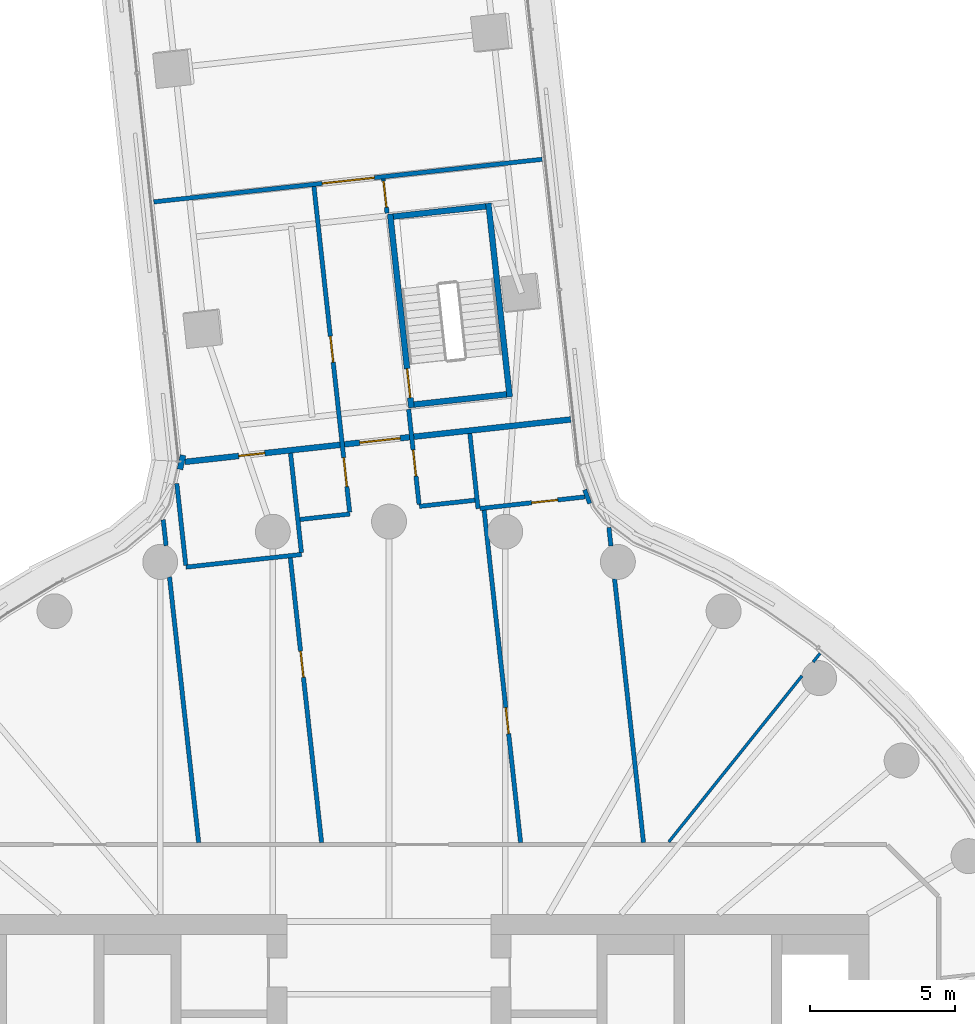
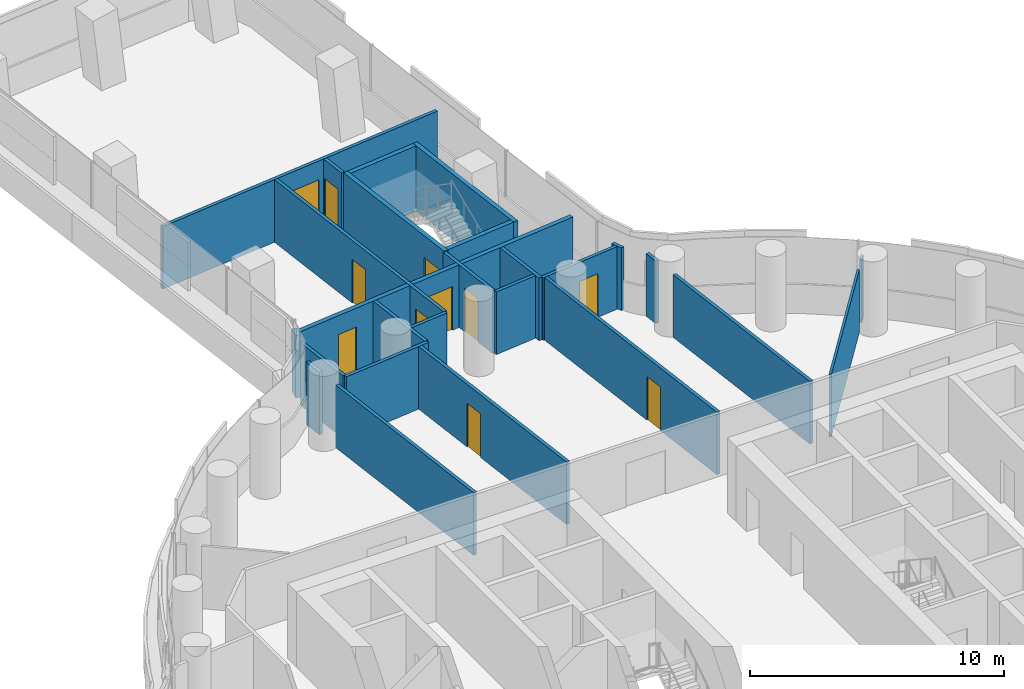
# One storey, part 23 of 31: 26 walls, 11 doors, 11 openings.
"""IFC4 building model written with IfcOpenShell, lengths in metres."""

from ifc_helpers import new_model, si_unit, direction, frame, frame_2d, origin, place, context, subcontext, project, spatial, polyline, rectangle, outline, extrude, material, layer, layer_set, type_object, element, fill, save


model = new_model("IFC4")

# Units and contexts
model_context = context("Model", 3, precision=1e-05, world=origin(), true_north=direction((0.0, 1.0)))
body_context = subcontext(model_context, "Body", "Model", "MODEL_VIEW")
ifc_project = project(units=[si_unit("LENGTHUNIT", "METRE"), si_unit("AREAUNIT", "SQUARE_METRE"), si_unit("VOLUMEUNIT", "CUBIC_METRE"), si_unit("PLANEANGLEUNIT", "RADIAN"), si_unit("MASSUNIT", "GRAM", prefix="KILO")], contexts=[model_context])

# Site, building, storey
site_placement = place(None, origin())
site = spatial("IfcSite", under=ifc_project, at=site_placement, CompositionType="ELEMENT")
building_placement = place(site_placement, origin())
building = spatial("IfcBuilding", under=site, at=building_placement, Name="Tamarind Cross Interchange Tower", CompositionType="ELEMENT")
storey_placement = place(building_placement, frame((0.0, 0.0, 56.5)))
storey = spatial("IfcBuildingStorey", under=building, at=storey_placement, Name="L12", CompositionType="ELEMENT", Elevation=56.5)

# Walls
ifc_material_1 = material(Name="Gypsum board partition on steel studs", Category="steel")
ifc_layer_1 = layer(ifc_material_1, 0.10009765625)
ifc_layer_set_1 = layer_set([ifc_layer_1], Name="Gypsum board partition on steel studs")
wall_type_1 = type_object("IfcWallType", Name="Partition 100 mm EI 90", PredefinedType="PARTITIONING", material=ifc_layer_set_1)
wall_1_placement = place(storey_placement, frame((9.6171875, 11.98876953125, 0.0), z_axis=(0.0, 0.0, 1.0), x_axis=(0.625675340488, 0.78008356495, 0.0)))
element("IfcWall", 1, at=wall_1_placement, inside=storey, type_object=wall_type_1, Name="Partition L12-078", PredefinedType="PARTITIONING", context=body_context, shape_type="SweptSolid", body=[
    extrude(rectangle(XDim=7.31591796875, YDim=0.10009765625, at=frame_2d((3.657958984375, 0.0))), origin(), (0.0, 0.0, 1.0), 3.010009765625),
])
wall_2_placement = place(storey_placement, frame((14.578125, 18.173828125, 0.0), z_axis=(0.0, 0.0, 1.0), x_axis=(0.625551826344, 0.780182614878, 0.0)))
element("IfcWall", 2, at=wall_2_placement, inside=storey, type_object=wall_type_1, Name="Partition L12-079", PredefinedType="PARTITIONING", context=body_context, shape_type="SweptSolid", body=[
    extrude(rectangle(XDim=0.382080078125, YDim=0.10009765625, at=frame_2d((0.19091796875, 0.0))), origin(), (0.0, 0.0, 1.0), 3.010009765625),
])
ifc_layer_2 = layer(ifc_material_1, 0.14990234375)
ifc_layer_set_2 = layer_set([ifc_layer_2], Name="Gypsum board partition on steel studs")
wall_type_2 = type_object("IfcWallType", Name="Partition 150 mm EI 120", PredefinedType="PARTITIONING", material=ifc_layer_set_2)
wall_3_placement = place(storey_placement, frame((-7.762939453125, 23.064697265625, 0.0), z_axis=(0.0, 0.0, 1.0), x_axis=(0.109420760428, -0.993995521714, 0.0)))
element("IfcWall", 3, at=wall_3_placement, inside=storey, type_object=wall_type_2, Name="Partition L12-008", PredefinedType="PARTITIONING", context=body_context, shape_type="SweptSolid", body=[
    extrude(rectangle(XDim=0.9013671875, YDim=0.14990234375, at=frame_2d((0.45068359375, 0.0))), origin(), (0.0, 0.0, 1.0), 3.010009765625),
])
wall_4_placement = place(storey_placement, frame((-7.546875, 21.09912109375, 0.0), z_axis=(0.0, 0.0, 1.0), x_axis=(0.109218417046, -0.994017775182, 0.0)))
element("IfcWall", 4, at=wall_4_placement, inside=storey, type_object=wall_type_2, Name="Partition L12-009", PredefinedType="PARTITIONING", context=body_context, shape_type="SweptSolid", body=[
    extrude(rectangle(XDim=9.189453125, YDim=0.14990234375, at=frame_2d((4.5947265625, 0.0))), origin(), (0.0, 0.0, 1.0), 3.010009765625),
])
wall_5_placement = place(storey_placement, frame((-7.2958984375, 24.30810546875, 0.0), z_axis=(0.0, 0.0, 1.0), x_axis=(0.109265376878, -0.994012614314, 0.0)))
element("IfcWall", 5, at=wall_5_placement, inside=storey, type_object=wall_type_2, Name="Partition L12-012", PredefinedType="PARTITIONING", context=body_context, shape_type="SweptSolid", body=[
    extrude(rectangle(XDim=2.826416015625, YDim=0.14990234375, at=frame_2d((1.4130859375, 0.0))), origin(), (0.0, 0.0, 1.0), 3.010009765625),
])

# Wall, opening, door
wall_6_placement = place(storey_placement, frame((-3.392822265625, 21.75244140625, 0.0), z_axis=(0.0, 0.0, 1.0), x_axis=(0.109144249504, -0.994025921594, 0.0)))
wall_6 = element("IfcWall", 6, at=wall_6_placement, inside=storey, type_object=wall_type_2, Name="Partition L12-014", PredefinedType="PARTITIONING", context=body_context, shape_type="SweptSolid", body=[
    extrude(rectangle(XDim=9.8466796875, YDim=0.14990234375, at=frame_2d((4.92333984375, 0.0))), origin(), (0.0, 0.0, 1.0), 3.010009765625),
])
opening_1_placement = place(wall_6_placement, frame((3.22509765625, 0.0, 0.0)))
opening_1 = element("IfcOpeningElement", 7, at=opening_1_placement, cuts=wall_6, Name="Opening D04", PredefinedType="OPENING", context=body_context, shape_type="SweptSolid", body=[
    extrude(rectangle(XDim=0.89990234375, YDim=2.10009765625, at=frame_2d((0.449951171875, 1.050048828125))), frame((0.0, 0.0849609375, 0.0), z_axis=(0.0, -1.0, 0.0), x_axis=(1.0, 0.0, 0.0)), (0.0, 0.0, 1.0), 0.169921875),
])
ifc_material_2 = material(Name="Fire-resisting door set")
door_type_1 = type_object("IfcDoorType", Name="Interior door 900 x 2100 FD60S", OperationType="SINGLE_SWING_LEFT", PredefinedType="DOOR", material=ifc_material_2)
door_1_placement = place(opening_1_placement, frame((0.89990234375, 0.0, 0.0), z_axis=(0.0, 0.0, 1.0), x_axis=(-1.0, 0.0, 0.0)))
door_1 = element("IfcDoor", 8, at=door_1_placement, inside=storey, type_object=door_type_1, Name="Door D04", OperationType="SINGLE_SWING_LEFT", OverallHeight=2.10009765625, OverallWidth=0.89990234375, PredefinedType="DOOR", context=body_context, shape_type="SweptSolid", body=[
    extrude(rectangle(XDim=0.89990234375, YDim=2.10009765625, at=frame_2d((0.449951171875, 1.050048828125))), frame((0.0, 0.02490234375, 0.0), z_axis=(0.0, -1.0, 0.0), x_axis=(1.0, 0.0, 0.0)), (0.0, 0.0, 1.0), 0.050048828125),
])
fill(opening_1, door_1)

# Wall
wall_7_placement = place(storey_placement, frame((-3.385986328125, 25.3505859375, 0.0), z_axis=(0.0, 0.0, 1.0), x_axis=(0.109152306031, -0.994025036952, 0.0)))
element("IfcWall", 9, at=wall_7_placement, inside=storey, type_object=wall_type_2, Name="Partition L12-015", PredefinedType="PARTITIONING", context=body_context, shape_type="SweptSolid", body=[
    extrude(rectangle(XDim=3.435546875, YDim=0.14990234375, at=frame_2d((1.7177734375, 0.0))), origin(), (0.0, 0.0, 1.0), 3.010009765625),
])

# Wall, openings, doors
wall_8_placement = place(storey_placement, frame((-2.581787109375, 34.517333984375, 0.0), z_axis=(0.0, 0.0, 1.0), x_axis=(0.109115299203, -0.994029099916, 0.0)))
wall_8 = element("IfcWall", 10, at=wall_8_placement, inside=storey, type_object=wall_type_2, Name="Partition L12-016", PredefinedType="PARTITIONING", context=body_context, shape_type="SweptSolid", body=[
    extrude(rectangle(XDim=11.2587890625, YDim=0.14990234375, at=frame_2d((5.62939453125, 0.0))), origin(), (0.0, 0.0, 1.0), 3.010009765625),
])
opening_2_placement = place(wall_8_placement, frame((9.374755859375, 0.0, 0.0)))
opening_2 = element("IfcOpeningElement", 11, at=opening_2_placement, cuts=wall_8, Name="Opening D05", PredefinedType="OPENING", context=body_context, shape_type="SweptSolid", body=[
    extrude(rectangle(XDim=1.0, YDim=2.10009765625, at=frame_2d((0.5, 1.050048828125))), frame((0.0, 0.0849609375, 0.0), z_axis=(0.0, -1.0, 0.0), x_axis=(1.0, 0.0, 0.0)), (0.0, 0.0, 1.0), 0.169921875),
])
opening_3_placement = place(wall_8_placement, frame((5.175048828125, 0.0, 0.0)))
opening_3 = element("IfcOpeningElement", 12, at=opening_3_placement, cuts=wall_8, Name="Opening D06", PredefinedType="OPENING", context=body_context, shape_type="SweptSolid", body=[
    extrude(rectangle(XDim=0.89990234375, YDim=2.10009765625, at=frame_2d((0.449951171875, 1.050048828125))), frame((0.0, 0.0849609375, 0.0), z_axis=(0.0, -1.0, 0.0), x_axis=(1.0, 0.0, 0.0)), (0.0, 0.0, 1.0), 0.169921875),
])
door_type_2 = type_object("IfcDoorType", Name="Interior door 1000 x 2100 FD60S", OperationType="SINGLE_SWING_LEFT", PredefinedType="DOOR", material=ifc_material_2)
door_2_placement = place(opening_2_placement, frame((1.0, 0.0, 0.0), z_axis=(0.0, 0.0, 1.0), x_axis=(-1.0, 0.0, 0.0)))
door_2 = element("IfcDoor", 13, at=door_2_placement, inside=storey, type_object=door_type_2, Name="Door D05", OperationType="SINGLE_SWING_RIGHT", OverallHeight=2.10009765625, OverallWidth=1.0, PredefinedType="DOOR", context=body_context, shape_type="SweptSolid", body=[
    extrude(rectangle(XDim=1.0, YDim=2.10009765625, at=frame_2d((0.5, 1.050048828125))), frame((0.0, 0.02490234375, 0.0), z_axis=(0.0, -1.0, 0.0), x_axis=(1.0, 0.0, 0.0)), (0.0, 0.0, 1.0), 0.050048828125),
])
fill(opening_2, door_2)
door_3_placement = place(opening_3_placement, frame((0.89990234375, 0.0, 0.0), z_axis=(0.0, 0.0, 1.0), x_axis=(-1.0, 0.0, 0.0)))
door_3 = element("IfcDoor", 14, at=door_3_placement, inside=storey, type_object=door_type_1, Name="Door D06", OperationType="SINGLE_SWING_LEFT", OverallHeight=2.10009765625, OverallWidth=0.89990234375, PredefinedType="DOOR", context=body_context, shape_type="SweptSolid", body=[
    extrude(rectangle(XDim=0.89990234375, YDim=2.10009765625, at=frame_2d((0.449951171875, 1.050048828125))), frame((0.0, 0.02490234375, 0.0), z_axis=(0.0, -1.0, 0.0), x_axis=(1.0, 0.0, 0.0)), (0.0, 0.0, 1.0), 0.050048828125),
])
fill(opening_3, door_3)

# Wall, opening, door
wall_9_placement = place(storey_placement, frame((-0.19677734375, 34.779296875, 0.0), z_axis=(0.0, 0.0, 1.0), x_axis=(0.109232551869, -0.994016222007, 0.0)))
wall_9 = element("IfcWall", 15, at=wall_9_placement, inside=storey, type_object=wall_type_2, Name="Partition L12-018", PredefinedType="PARTITIONING", context=body_context, shape_type="SweptSolid", body=[
    extrude(rectangle(XDim=1.1845703125, YDim=0.14990234375, at=frame_2d((0.59228515625, 0.0))), origin(), (0.0, 0.0, 1.0), 3.010009765625),
])
opening_4_placement = place(wall_9_placement, frame((0.074951171875, 0.0, 0.0)))
opening_4 = element("IfcOpeningElement", 16, at=opening_4_placement, cuts=wall_9, Name="Opening D08", PredefinedType="OPENING", context=body_context, shape_type="SweptSolid", body=[
    extrude(rectangle(XDim=0.89990234375, YDim=2.10009765625, at=frame_2d((0.449951171875, 1.050048828125))), frame((0.0, 0.0849609375, 0.0), z_axis=(0.0, -1.0, 0.0), x_axis=(1.0, 0.0, 0.0)), (0.0, 0.0, 1.0), 0.169921875),
])
door_4_placement = place(opening_4_placement, origin())
door_4 = element("IfcDoor", 17, at=door_4_placement, inside=storey, type_object=door_type_1, Name="Door D08", OperationType="SINGLE_SWING_RIGHT", OverallHeight=2.10009765625, OverallWidth=0.89990234375, PredefinedType="DOOR", context=body_context, shape_type="SweptSolid", body=[
    extrude(rectangle(XDim=0.89990234375, YDim=2.10009765625, at=frame_2d((0.449951171875, 1.050048828125))), frame((0.0, 0.02490234375, 0.0), z_axis=(0.0, -1.0, 0.0), x_axis=(1.0, 0.0, 0.0)), (0.0, 0.0, 1.0), 0.050048828125),
])
fill(opening_4, door_4)

wall_10_placement = place(storey_placement, frame((0.673095703125, 26.8623046875, 0.0), z_axis=(0.0, 0.0, 1.0), x_axis=(0.109235770512, -0.994015868304, 0.0)))
wall_10 = element("IfcWall", 18, at=wall_10_placement, inside=storey, type_object=wall_type_2, Name="Partition L12-019", PredefinedType="PARTITIONING", context=body_context, shape_type="SweptSolid", body=[
    extrude(rectangle(XDim=3.29443359375, YDim=0.14990234375, at=frame_2d((1.647216796875, 0.0))), origin(), (0.0, 0.0, 1.0), 3.010009765625),
])
opening_5_placement = place(wall_10_placement, frame((1.409912109375, 0.0, 0.0)))
opening_5 = element("IfcOpeningElement", 19, at=opening_5_placement, cuts=wall_10, Name="Opening D09", PredefinedType="OPENING", context=body_context, shape_type="SweptSolid", body=[
    extrude(rectangle(XDim=0.89990234375, YDim=2.10009765625, at=frame_2d((0.449951171875, 1.050048828125))), frame((0.0, 0.0849609375, 0.0), z_axis=(0.0, -1.0, 0.0), x_axis=(1.0, 0.0, 0.0)), (0.0, 0.0, 1.0), 0.169921875),
])
door_5_placement = place(opening_5_placement, origin())
door_5 = element("IfcDoor", 20, at=door_5_placement, inside=storey, type_object=door_type_1, Name="Door D09", OperationType="SINGLE_SWING_LEFT", OverallHeight=2.10009765625, OverallWidth=0.89990234375, PredefinedType="DOOR", context=body_context, shape_type="SweptSolid", body=[
    extrude(rectangle(XDim=0.89990234375, YDim=2.10009765625, at=frame_2d((0.449951171875, 1.050048828125))), frame((0.0, 0.02490234375, 0.0), z_axis=(0.0, -1.0, 0.0), x_axis=(1.0, 0.0, 0.0)), (0.0, 0.0, 1.0), 0.050048828125),
])
fill(opening_5, door_5)

# Wall
wall_11_placement = place(storey_placement, frame((2.77685546875, 26.027587890625, 0.0), z_axis=(0.0, 0.0, 1.0), x_axis=(0.109205023982, -0.994019246663, 0.0)))
element("IfcWall", 21, at=wall_11_placement, inside=storey, type_object=wall_type_2, Name="Partition L12-023", PredefinedType="PARTITIONING", context=body_context, shape_type="SweptSolid", body=[
    extrude(rectangle(XDim=2.60009765625, YDim=0.14990234375, at=frame_2d((1.300048828125, 0.0))), origin(), (0.0, 0.0, 1.0), 3.010009765625),
])

# Wall, opening, door
wall_12_placement = place(storey_placement, frame((3.268310546875, 23.390380859375, 0.0), z_axis=(0.0, 0.0, 1.0), x_axis=(0.10915160387, -0.994025114055, 0.0)))
wall_12 = element("IfcWall", 22, at=wall_12_placement, inside=storey, type_object=wall_type_2, Name="Partition L12-024", PredefinedType="PARTITIONING", context=body_context, shape_type="SweptSolid", body=[
    extrude(rectangle(XDim=11.494384765625, YDim=0.14990234375, at=frame_2d((5.7470703125, 0.0))), origin(), (0.0, 0.0, 1.0), 3.010009765625),
])
opening_6_placement = place(wall_12_placement, frame((6.824951171875, 0.0, 0.0)))
opening_6 = element("IfcOpeningElement", 23, at=opening_6_placement, cuts=wall_12, Name="Opening D13", PredefinedType="OPENING", context=body_context, shape_type="SweptSolid", body=[
    extrude(rectangle(XDim=0.89990234375, YDim=2.10009765625, at=frame_2d((0.449951171875, 1.050048828125))), frame((0.0, 0.0849609375, 0.0), z_axis=(0.0, -1.0, 0.0), x_axis=(1.0, 0.0, 0.0)), (0.0, 0.0, 1.0), 0.169921875),
])
door_6_placement = place(opening_6_placement, origin())
door_6 = element("IfcDoor", 24, at=door_6_placement, inside=storey, type_object=door_type_1, Name="Door D13", OperationType="SINGLE_SWING_LEFT", OverallHeight=2.10009765625, OverallWidth=0.89990234375, PredefinedType="DOOR", context=body_context, shape_type="SweptSolid", body=[
    extrude(rectangle(XDim=0.89990234375, YDim=2.10009765625, at=frame_2d((0.449951171875, 1.050048828125))), frame((0.0, 0.02490234375, 0.0), z_axis=(0.0, -1.0, 0.0), x_axis=(1.0, 0.0, 0.0)), (0.0, 0.0, 1.0), 0.050048828125),
])
fill(opening_6, door_6)

# Walls
wall_13_placement = place(storey_placement, frame((7.55810546875, 22.799072265625, 0.0), z_axis=(0.0, 0.0, 1.0), x_axis=(0.10922431613, -0.994017126998, 0.0)))
element("IfcWall", 25, at=wall_13_placement, inside=storey, type_object=wall_type_2, Name="Partition L12-027", PredefinedType="PARTITIONING", context=body_context, shape_type="SweptSolid", body=[
    extrude(rectangle(XDim=0.643798828125, YDim=0.14990234375, at=frame_2d((0.32177734375, 0.0))), origin(), (0.0, 0.0, 1.0), 3.010009765625),
])
wall_14_placement = place(storey_placement, frame((7.751953125, 21.03369140625, 0.0), z_axis=(0.0, 0.0, 1.0), x_axis=(0.109150907267, -0.994025190547, 0.0)))
element("IfcWall", 26, at=wall_14_placement, inside=storey, type_object=wall_type_2, Name="Partition L12-028", PredefinedType="PARTITIONING", context=body_context, shape_type="SweptSolid", body=[
    extrude(rectangle(XDim=9.12353515625, YDim=0.14990234375, at=frame_2d((4.561767578125, 0.0))), origin(), (0.0, 0.0, 1.0), 3.010009765625),
])

# Wall, opening, door
wall_15_placement = place(storey_placement, frame((-8.087158203125, 33.989013671875, 0.0), z_axis=(0.0, 0.0, 1.0), x_axis=(0.994038609498, 0.109028633059, 0.0)))
wall_15 = element("IfcWall", 27, at=wall_15_placement, inside=storey, type_object=wall_type_2, Name="Partition L12-053", PredefinedType="PARTITIONING", context=body_context, shape_type="SweptSolid", body=[
    extrude(rectangle(XDim=13.4287109375, YDim=0.14990234375, at=frame_2d((6.71435546875, 0.0))), origin(), (0.0, 0.0, 1.0), 3.010009765625),
])
opening_7_placement = place(wall_15_placement, frame((5.830078125, 0.0, 0.0)))
opening_7 = element("IfcOpeningElement", 28, at=opening_7_placement, cuts=wall_15, Name="Opening D27", PredefinedType="OPENING", context=body_context, shape_type="SweptSolid", body=[
    extrude(rectangle(XDim=1.800048828125, YDim=2.10009765625, at=frame_2d((0.89990234375, 1.050048828125))), frame((0.0, 0.0849609375, 0.0), z_axis=(0.0, -1.0, 0.0), x_axis=(1.0, 0.0, 0.0)), (0.0, 0.0, 1.0), 0.169921875),
])
door_type_3 = type_object("IfcDoorType", Name="Interior door 1800 x 2100 FD60S", OperationType="DOUBLE_DOOR_SINGLE_SWING", PredefinedType="DOOR", material=ifc_material_2)
door_7_placement = place(opening_7_placement, origin())
door_7 = element("IfcDoor", 29, at=door_7_placement, inside=storey, type_object=door_type_3, Name="Door D27", OperationType="DOUBLE_DOOR_SINGLE_SWING", OverallHeight=2.10009765625, OverallWidth=1.800048828125, PredefinedType="DOOR", context=body_context, shape_type="SweptSolid", body=[
    extrude(rectangle(XDim=1.800048828125, YDim=2.10009765625, at=frame_2d((0.89990234375, 1.050048828125))), frame((0.0, 0.02490234375, 0.0), z_axis=(0.0, -1.0, 0.0), x_axis=(1.0, 0.0, 0.0)), (0.0, 0.0, 1.0), 0.050048828125),
])
fill(opening_7, door_7)

# Walls
wall_16_placement = place(storey_placement, frame((-6.97998046875, 21.43408203125, 0.0), z_axis=(0.0, 0.0, 1.0), x_axis=(0.994027286495, 0.109131818019, 0.0)))
element("IfcWall", 30, at=wall_16_placement, inside=storey, type_object=wall_type_2, Name="Partition L12-055", PredefinedType="PARTITIONING", context=body_context, shape_type="SweptSolid", body=[
    extrude(rectangle(XDim=4.0, YDim=0.14990234375, at=frame_2d((2.0, 0.0))), origin(), (0.0, 0.0, 1.0), 3.010009765625),
])
wall_17_placement = place(storey_placement, frame((-3.060546875, 23.072265625, 0.0), z_axis=(0.0, 0.0, 1.0), x_axis=(0.993997123908, 0.109406204867, 0.0)))
element("IfcWall", 31, at=wall_17_placement, inside=storey, type_object=wall_type_2, Name="Partition L12-059", PredefinedType="PARTITIONING", context=body_context, shape_type="SweptSolid", body=[
    extrude(rectangle(XDim=1.724853515625, YDim=0.14990234375, at=frame_2d((0.8623046875, 0.0))), origin(), (0.0, 0.0, 1.0), 3.010009765625),
])
wall_18_placement = place(storey_placement, frame((1.039794921875, 23.523681640625, 0.0), z_axis=(0.0, 0.0, 1.0), x_axis=(0.993993048472, 0.109443225419, 0.0)))
element("IfcWall", 32, at=wall_18_placement, inside=storey, type_object=wall_type_2, Name="Partition L12-060", PredefinedType="PARTITIONING", context=body_context, shape_type="SweptSolid", body=[
    extrude(rectangle(XDim=1.925048828125, YDim=0.14990234375, at=frame_2d((0.96240234375, 0.0))), origin(), (0.0, 0.0, 1.0), 3.010009765625),
])

# Wall, opening, door
wall_19_placement = place(storey_placement, frame((3.12548828125, 23.4501953125, 0.0), z_axis=(0.0, 0.0, 1.0), x_axis=(0.993944383485, 0.10988431434, 0.0)))
wall_19 = element("IfcWall", 33, at=wall_19_placement, inside=storey, type_object=wall_type_2, Name="Partition L12-063", PredefinedType="PARTITIONING", context=body_context, shape_type="SweptSolid", body=[
    extrude(rectangle(XDim=3.623779296875, YDim=0.14990234375, at=frame_2d((1.81201171875, 0.0))), origin(), (0.0, 0.0, 1.0), 3.010009765625),
])
opening_8_placement = place(wall_19_placement, frame((1.78515625, 0.0, 0.0)))
opening_8 = element("IfcOpeningElement", 34, at=opening_8_placement, cuts=wall_19, Name="Opening D32", PredefinedType="OPENING", context=body_context, shape_type="SweptSolid", body=[
    extrude(rectangle(XDim=0.89990234375, YDim=2.10009765625, at=frame_2d((0.449951171875, 1.050048828125))), frame((0.0, 0.0849609375, 0.0), z_axis=(0.0, -1.0, 0.0), x_axis=(1.0, 0.0, 0.0)), (0.0, 0.0, 1.0), 0.169921875),
])
door_8_placement = place(opening_8_placement, origin())
door_8 = element("IfcDoor", 35, at=door_8_placement, inside=storey, type_object=door_type_1, Name="Door D32", OperationType="SINGLE_SWING_LEFT", OverallHeight=2.10009765625, OverallWidth=0.89990234375, PredefinedType="DOOR", context=body_context, shape_type="SweptSolid", body=[
    extrude(rectangle(XDim=0.89990234375, YDim=2.10009765625, at=frame_2d((0.449951171875, 1.050048828125))), frame((0.0, 0.02490234375, 0.0), z_axis=(0.0, -1.0, 0.0), x_axis=(1.0, 0.0, 0.0)), (0.0, 0.0, 1.0), 0.050048828125),
])
fill(opening_8, door_8)

# Wall
wall_20_placement = place(storey_placement, frame((6.89892578125, 23.623291015625, 0.0), z_axis=(0.0, 0.0, 1.0), x_axis=(-0.349142654118, 0.93706958497, 0.0)))
element("IfcWall", 36, at=wall_20_placement, inside=storey, type_object=wall_type_2, Name="Partition L12-083", PredefinedType="PARTITIONING", context=body_context, shape_type="SweptSolid", body=[
    extrude(rectangle(XDim=0.5, YDim=0.14990234375, at=frame_2d((0.25, 0.0))), origin(), (0.0, 0.0, 1.0), 3.010009765625),
])

# Wall, openings, doors
ifc_layer_3 = layer(ifc_material_1, 0.199951171875)
ifc_layer_set_3 = layer_set([ifc_layer_3], Name="Gypsum board partition on steel studs")
wall_type_3 = type_object("IfcWallType", Name="Partition 200 mm EI 180", PredefinedType="PARTITIONING", material=ifc_layer_set_3)
wall_21_placement = place(storey_placement, frame((-7.014404296875, 25.05224609375, 0.0), z_axis=(0.0, 0.0, 1.0), x_axis=(0.994009646453, 0.109292372831, 0.0)))
wall_21 = element("IfcWall", 37, at=wall_21_placement, inside=storey, type_object=wall_type_3, Name="Partition L12-054", PredefinedType="PARTITIONING", context=body_context, shape_type="SweptSolid", body=[
    extrude(rectangle(XDim=13.338134765625, YDim=0.199951171875, at=frame_2d((6.6689453125, 0.0))), origin(), (0.0, 0.0, 1.0), 3.010009765625),
])
opening_9_placement = place(wall_21_placement, frame((6.038818359375, 0.0, 0.0)))
opening_9 = element("IfcOpeningElement", 38, at=opening_9_placement, cuts=wall_21, Name="Opening D28", PredefinedType="OPENING", context=body_context, shape_type="SweptSolid", body=[
    extrude(rectangle(XDim=1.39990234375, YDim=2.10009765625, at=frame_2d((0.699951171875, 1.050048828125))), frame((0.0, 0.10986328125, 0.0), z_axis=(0.0, -1.0, 0.0), x_axis=(1.0, 0.0, 0.0)), (0.0, 0.0, 1.0), 0.219970703125),
])
opening_10_placement = place(wall_21_placement, frame((1.860595703125, 0.0, 0.0)))
opening_10 = element("IfcOpeningElement", 39, at=opening_10_placement, cuts=wall_21, Name="Opening D29", PredefinedType="OPENING", context=body_context, shape_type="SweptSolid", body=[
    extrude(rectangle(XDim=0.89990234375, YDim=2.10009765625, at=frame_2d((0.449951171875, 1.050048828125))), frame((0.0, 0.10986328125, 0.0), z_axis=(0.0, -1.0, 0.0), x_axis=(1.0, 0.0, 0.0)), (0.0, 0.0, 1.0), 0.219970703125),
])
door_type_4 = type_object("IfcDoorType", Name="Interior door 1400 x 2100 FD120S", OperationType="DOUBLE_DOOR_SINGLE_SWING", PredefinedType="DOOR", material=ifc_material_2)
door_9_placement = place(opening_9_placement, frame((1.39990234375, 0.0, 0.0), z_axis=(0.0, 0.0, 1.0), x_axis=(-1.0, 0.0, 0.0)))
door_9 = element("IfcDoor", 40, at=door_9_placement, inside=storey, type_object=door_type_4, Name="Door D28", OperationType="DOUBLE_DOOR_SINGLE_SWING", OverallHeight=2.10009765625, OverallWidth=1.39990234375, PredefinedType="DOOR", context=body_context, shape_type="SweptSolid", body=[
    extrude(rectangle(XDim=1.39990234375, YDim=2.10009765625, at=frame_2d((0.699951171875, 1.050048828125))), frame((0.0, 0.02490234375, 0.0), z_axis=(0.0, -1.0, 0.0), x_axis=(1.0, 0.0, 0.0)), (0.0, 0.0, 1.0), 0.050048828125),
])
fill(opening_9, door_9)
door_type_5 = type_object("IfcDoorType", Name="Interior door 900 x 2100 FD120S", OperationType="SINGLE_SWING_LEFT", PredefinedType="DOOR", material=ifc_material_2)
door_10_placement = place(opening_10_placement, frame((0.89990234375, 0.0, 0.0), z_axis=(0.0, 0.0, 1.0), x_axis=(-1.0, 0.0, 0.0)))
door_10 = element("IfcDoor", 41, at=door_10_placement, inside=storey, type_object=door_type_5, Name="Door D29", OperationType="SINGLE_SWING_LEFT", OverallHeight=2.10009765625, OverallWidth=0.89990234375, PredefinedType="DOOR", context=body_context, shape_type="SweptSolid", body=[
    extrude(rectangle(XDim=0.89990234375, YDim=2.10009765625, at=frame_2d((0.449951171875, 1.050048828125))), frame((0.0, 0.02490234375, 0.0), z_axis=(0.0, -1.0, 0.0), x_axis=(1.0, 0.0, 0.0)), (0.0, 0.0, 1.0), 0.050048828125),
])
fill(opening_10, door_10)

# Wall
wall_22_placement = place(storey_placement, frame((-7.07958984375, 25.283203125, 0.0), z_axis=(0.0, 0.0, 1.0), x_axis=(-0.215895966224, -0.976416372132, 0.0)))
element("IfcWall", 42, at=wall_22_placement, inside=storey, type_object=wall_type_3, Name="Partition L12-082", PredefinedType="PARTITIONING", context=body_context, shape_type="SweptSolid", body=[
    extrude(rectangle(XDim=0.499755859375, YDim=0.199951171875, at=frame_2d((0.25, 0.0))), origin(), (0.0, 0.0, 1.0), 3.010009765625),
])

# Wall, opening, door
ifc_material_3 = material(Name="Concrete C40", Category="concrete")
ifc_layer_4 = layer(ifc_material_3, 0.199951171875)
ifc_layer_set_4 = layer_set([ifc_layer_4], Name="Concrete C40")
wall_type_4 = type_object("IfcWallType", Name="Stair shaft wall 200 mm Concrete C40", PredefinedType="SHEAR", material=ifc_layer_set_4)
wall_23_placement = place(storey_placement, frame((0.76806640625, 26.9130859375, -0.139892578125), z_axis=(0.0, 0.0, 1.0), x_axis=(-0.109167667038, 0.994023350065, 0.0)))
wall_23 = element("IfcWall", 43, at=wall_23_placement, inside=storey, type_object=wall_type_4, Name="Core wall CWL-L12-ST4-H", PredefinedType="SHEAR", context=body_context, shape_type="SweptSolid", body=[
    extrude(rectangle(XDim=6.7001953125, YDim=0.199951171875, at=frame_2d((3.35009765625, 0.0))), origin(), (0.0, 0.0, 1.0), 3.14990234375),
])
opening_11_placement = place(wall_23_placement, frame((0.35009765625, 0.0, 0.0)))
opening_11 = element("IfcOpeningElement", 44, at=opening_11_placement, cuts=wall_23, Name="Opening ST4L12", PredefinedType="OPENING", context=body_context, shape_type="SweptSolid", body=[
    extrude(rectangle(XDim=1.0, YDim=2.10009765625, at=frame_2d((0.5, 1.050048828125))), frame((0.0, 0.10986328125, 0.0), z_axis=(0.0, -1.0, 0.0), x_axis=(1.0, 0.0, 0.0)), (0.0, 0.0, 1.0), 0.219970703125),
])
ifc_material_4 = material(Name="Steel, fire-resisting", Category="steel")
door_type_6 = type_object("IfcDoorType", Name="Core fire door 1000 x 2100 FD90", OperationType="SINGLE_SWING_LEFT", PredefinedType="DOOR", material=ifc_material_4)
door_11_placement = place(opening_11_placement, origin())
door_11 = element("IfcDoor", 45, at=door_11_placement, inside=storey, type_object=door_type_6, Name="L12 stair door ST4", OperationType="SINGLE_SWING_LEFT", OverallHeight=2.10009765625, OverallWidth=1.0, PredefinedType="DOOR", context=body_context, shape_type="SweptSolid", body=[
    extrude(rectangle(XDim=1.0, YDim=2.10009765625, at=frame_2d((0.5, 1.050048828125))), frame((0.0, 0.02490234375, 0.0), z_axis=(0.0, -1.0, 0.0), x_axis=(1.0, 0.0, 0.0)), (0.0, 0.0, 1.0), 0.050048828125),
])
fill(opening_11, door_11)

# Walls
wall_24_placement = place(storey_placement, frame((4.147705078125, 27.284423828125, -0.139892578125), z_axis=(0.0, 0.0, 1.0), x_axis=(-0.109171621236, 0.99402291579, 0.0)))
element("IfcWall", 46, at=wall_24_placement, inside=storey, type_object=wall_type_4, Name="Core wall CWL-L12-ST4-C", PredefinedType="SHEAR", context=body_context, shape_type="SweptSolid", body=[
    extrude(rectangle(XDim=6.699951171875, YDim=0.199951171875, at=frame_2d((3.35009765625, 0.0))), origin(), (0.0, 0.0, 1.0), 3.14990234375),
])
wall_25_placement = place(storey_placement, frame((4.037353515625, 27.373046875, -0.139892578125), z_axis=(0.0, 0.0, 1.0), x_axis=(-0.994021592041, -0.109183673489, 0.0)))
element("IfcWall", 47, at=wall_25_placement, inside=storey, type_object=wall_type_4, Name="Core wall CWL-L12-ST4-CE", PredefinedType="SHEAR", context=body_context, shape_type="SweptSolid", body=[
    extrude(rectangle(XDim=3.19970703125, YDim=0.199951171875, at=frame_2d((1.599853515625, 0.0))), origin(), (0.0, 0.0, 1.0), 3.14990234375),
])
wall_26_placement = place(storey_placement, frame((0.0, 0.0, -0.139892578125)))
element("IfcWall", 48, at=wall_26_placement, inside=storey, type_object=wall_type_4, Name="Core wall CWL-L12-ST4-CF", PredefinedType="SHEAR", context=body_context, shape_type="SweptSolid", body=[
    extrude(outline(polyline([(3.338623046875, 33.734619140625), (3.31689453125, 33.93359375), (0.135986328125, 33.583984375), (0.15771484375, 33.38525390625), (3.338623046875, 33.734619140625)])), origin(), (0.0, 0.0, 1.0), 3.14990234375),
])

save(model, "model.ifc")
